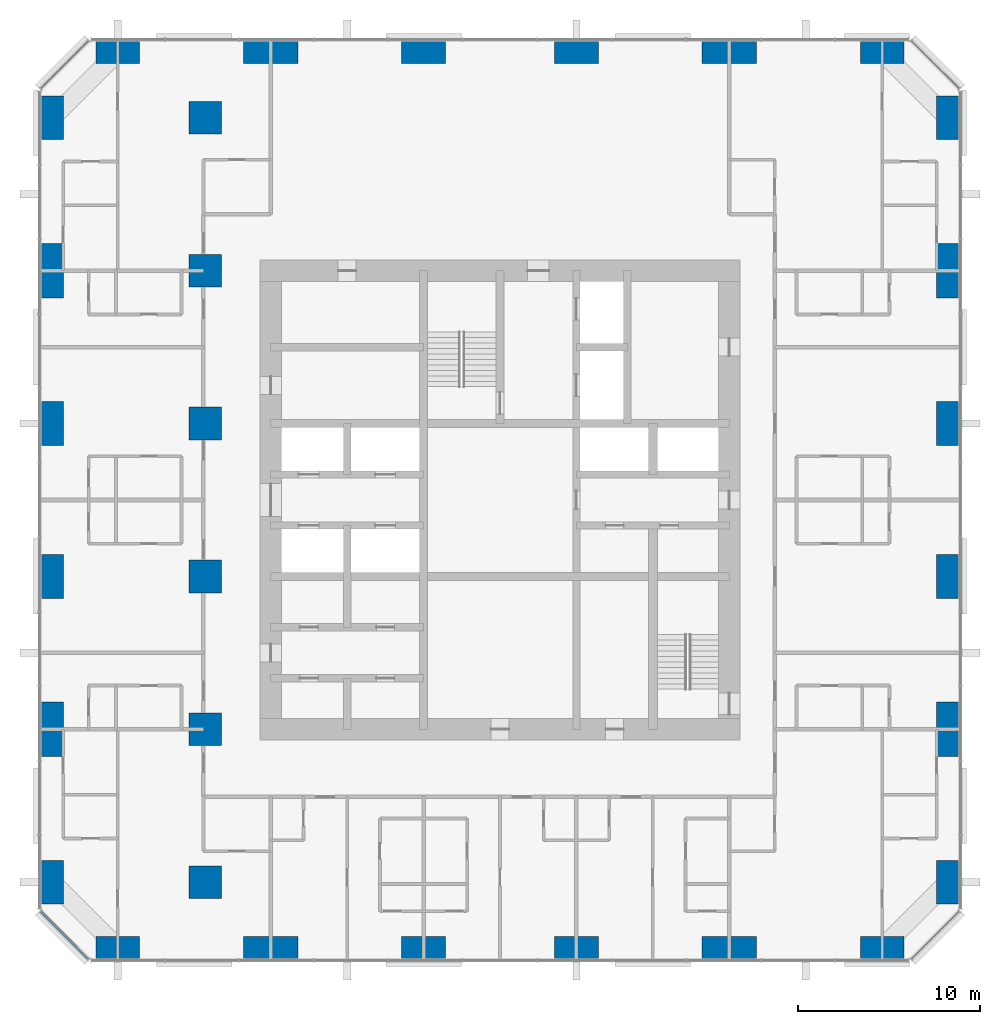
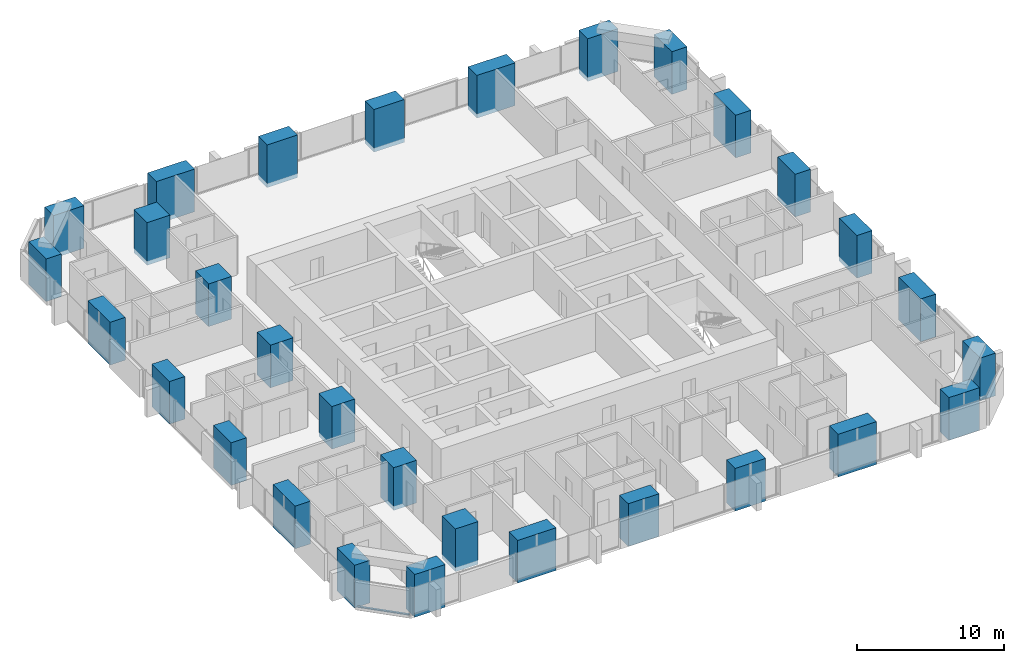
# One storey, part 1 of 13: 30 columns, 1 member, 1 element without a shape of its own.
"""IFC4 building model written with IfcOpenShell, lengths in metres."""

from ifc_helpers import new_model, si_unit, direction, frame, origin, origin_2d, place, context, subcontext, project, spatial, rectangle, extrude, material, material_profile, profile_set, type_object, element, aggregate, save


model = new_model("IFC4")

# Units and contexts
model_context = context("Model", 3, precision=1e-05, world=origin(), true_north=direction((0.0, 1.0)))
body_context = subcontext(model_context, "Body", "Model", "MODEL_VIEW")
ifc_project = project(units=[si_unit("LENGTHUNIT", "METRE"), si_unit("AREAUNIT", "SQUARE_METRE"), si_unit("VOLUMEUNIT", "CUBIC_METRE"), si_unit("PLANEANGLEUNIT", "RADIAN"), si_unit("MASSUNIT", "GRAM", prefix="KILO")], contexts=[model_context])

# Site, building, storey
site_placement = place(None, origin())
site = spatial("IfcSite", under=ifc_project, at=site_placement, CompositionType="ELEMENT")
building_placement = place(site_placement, origin())
building = spatial("IfcBuilding", under=site, at=building_placement, Name="Dunama Terrace Hotel", CompositionType="ELEMENT")
storey_placement = place(building_placement, frame((0.0, 0.0, 216.60009765625)))
storey = spatial("IfcBuildingStorey", under=building, at=storey_placement, Name="L56", CompositionType="ELEMENT", Elevation=216.60009765625)

# Columns
ifc_material_1 = material(Name="Concrete C60/75", Category="concrete")
ifc_material_profile_1 = material_profile(ifc_material_1, rectangle(XDim=1.199951171875, YDim=2.39990234375, at=origin_2d()), Name="RC 1200x2400")
ifc_profile_set_1 = profile_set([ifc_material_profile_1], Name="Concrete C60/75")
column_type_1 = type_object("IfcColumnType", Name="Column RC 1200x2400", PredefinedType="COLUMN", material=ifc_profile_set_1)
for number, where, z_axis, x_axis, name in (
    (1, (4.800048828125, 8.39990234375, -0.35009765625), (0.0, 0.0, 1.0), (1.0, 0.0, 0.0), "Column L56 +4.8/+8.4"),
    (2, (4.800048828125, 25.199951171875, -0.35009765625), (0.0, 0.0, 1.0), (1.0, 0.0, 0.0), "Column L56 +4.8/+25.2"),
    (3, (4.800048828125, 33.60009765625, -0.35009765625), (0.0, 0.0, 1.0), (1.0, 0.0, 0.0), "Column L56 +4.8/+33.6"),
    (4, (4.800048828125, 50.39990234375, -0.35009765625), (0.0, 0.0, 1.0), (1.0, 0.0, 0.0), "Column L56 +4.8/+50.4"),
    (5, (54.0, 8.39990234375, -0.35009765625), (0.0, 0.0, 1.0), (1.0, 0.0, 0.0), "Column L56 +54.0/+8.4"),
    (6, (54.0, 25.199951171875, -0.35009765625), (0.0, 0.0, 1.0), (1.0, 0.0, 0.0), "Column L56 +54.0/+25.2"),
    (7, (54.0, 33.60009765625, -0.35009765625), (0.0, 0.0, 1.0), (1.0, 0.0, 0.0), "Column L56 +54.0/+33.6"),
    (8, (54.0, 50.39990234375, -0.35009765625), (0.0, 0.0, 1.0), (1.0, 0.0, 0.0), "Column L56 +54.0/+50.4"),
):
    element("IfcColumn", number, at=place(storey_placement, frame(where, z_axis=z_axis, x_axis=x_axis)), inside=storey, type_object=column_type_1, Name=name, PredefinedType="COLUMN", context=body_context, shape_type="SweptSolid", body=[
        extrude(rectangle(XDim=1.199951171875, YDim=2.39990234375, at=origin_2d()), origin(), (0.0, 0.0, 1.0), 3.550048828125),
    ])
ifc_material_2 = material(Name="Concrete C60/75", Category="concrete")
ifc_material_profile_2 = material_profile(ifc_material_2, rectangle(XDim=1.199951171875, YDim=3.0, at=origin_2d()), Name="RC 1200x3000")
ifc_profile_set_2 = profile_set([ifc_material_profile_2], Name="Concrete C60/75")
column_type_2 = type_object("IfcColumnType", Name="Column RC 1200x3000", PredefinedType="COLUMN", material=ifc_profile_set_2)
for number, where, z_axis, x_axis, name in (
    (9, (4.800048828125, 16.800048828125, -0.35009765625), (0.0, 0.0, 1.0), (1.0, 0.0, 0.0), "Column L56 +4.8/+16.8"),
    (10, (4.800048828125, 42.0, -0.35009765625), (0.0, 0.0, 1.0), (1.0, 0.0, 0.0), "Column L56 +4.8/+42.0"),
    (11, (54.0, 16.800048828125, -0.35009765625), (0.0, 0.0, 1.0), (1.0, 0.0, 0.0), "Column L56 +54.0/+16.8"),
    (12, (54.0, 42.0, -0.35009765625), (0.0, 0.0, 1.0), (1.0, 0.0, 0.0), "Column L56 +54.0/+42.0"),
):
    element("IfcColumn", number, at=place(storey_placement, frame(where, z_axis=z_axis, x_axis=x_axis)), inside=storey, type_object=column_type_2, Name=name, PredefinedType="COLUMN", context=body_context, shape_type="SweptSolid", body=[
        extrude(rectangle(XDim=1.199951171875, YDim=3.0, at=origin_2d()), origin(), (0.0, 0.0, 1.0), 3.550048828125),
    ])
ifc_material_3 = material(Name="Concrete C60/75", Category="concrete")
ifc_material_profile_3 = material_profile(ifc_material_3, rectangle(XDim=1.800048828125, YDim=1.800048828125, at=origin_2d()), Name="RC 1800x1800")
ifc_profile_set_3 = profile_set([ifc_material_profile_3], Name="Concrete C60/75")
column_type_3 = type_object("IfcColumnType", Name="Column RC 1800x1800", PredefinedType="COLUMN", material=ifc_profile_set_3)
for number, where, z_axis, x_axis, name in (
    (13, (13.199951171875, 8.39990234375, -0.35009765625), (0.0, 0.0, 1.0), (1.0, 0.0, 0.0), "Column L56 +13.2/+8.4"),
    (14, (13.199951171875, 16.800048828125, -0.35009765625), (0.0, 0.0, 1.0), (1.0, 0.0, 0.0), "Column L56 +13.2/+16.8"),
    (15, (13.199951171875, 25.199951171875, -0.35009765625), (0.0, 0.0, 1.0), (1.0, 0.0, 0.0), "Column L56 +13.2/+25.2"),
    (16, (13.199951171875, 33.60009765625, -0.35009765625), (0.0, 0.0, 1.0), (1.0, 0.0, 0.0), "Column L56 +13.2/+33.6"),
    (17, (13.199951171875, 42.0, -0.35009765625), (0.0, 0.0, 1.0), (1.0, 0.0, 0.0), "Column L56 +13.2/+42.0"),
    (18, (13.199951171875, 50.39990234375, -0.35009765625), (0.0, 0.0, 1.0), (1.0, 0.0, 0.0), "Column L56 +13.2/+50.4"),
):
    element("IfcColumn", number, at=place(storey_placement, frame(where, z_axis=z_axis, x_axis=x_axis)), inside=storey, type_object=column_type_3, Name=name, PredefinedType="COLUMN", context=body_context, shape_type="SweptSolid", body=[
        extrude(rectangle(XDim=1.800048828125, YDim=1.800048828125, at=origin_2d()), origin(), (0.0, 0.0, 1.0), 3.550048828125),
    ])
ifc_material_4 = material(Name="Concrete C60/75", Category="concrete")
ifc_material_profile_4 = material_profile(ifc_material_4, rectangle(XDim=2.39990234375, YDim=1.199951171875, at=origin_2d()), Name="RC 2400x1200")
ifc_profile_set_4 = profile_set([ifc_material_profile_4], Name="Concrete C60/75")
column_type_4 = type_object("IfcColumnType", Name="Column RC 2400x1200", PredefinedType="COLUMN", material=ifc_profile_set_4)
for number, where, z_axis, x_axis, name in (
    (19, (8.39990234375, 4.800048828125, -0.35009765625), (0.0, 0.0, 1.0), (1.0, 0.0, 0.0), "Column L56 +8.4/+4.8"),
    (20, (8.39990234375, 54.0, -0.35009765625), (0.0, 0.0, 1.0), (1.0, 0.0, 0.0), "Column L56 +8.4/+54.0"),
    (21, (25.199951171875, 4.800048828125, -0.35009765625), (0.0, 0.0, 1.0), (1.0, 0.0, 0.0), "Column L56 +25.2/+4.8"),
    (22, (25.199951171875, 54.0, -0.35009765625), (0.0, 0.0, 1.0), (1.0, 0.0, 0.0), "Column L56 +25.2/+54.0"),
    (23, (33.60009765625, 4.800048828125, -0.35009765625), (0.0, 0.0, 1.0), (1.0, 0.0, 0.0), "Column L56 +33.6/+4.8"),
    (24, (33.60009765625, 54.0, -0.35009765625), (0.0, 0.0, 1.0), (1.0, 0.0, 0.0), "Column L56 +33.6/+54.0"),
    (25, (50.39990234375, 4.800048828125, -0.35009765625), (0.0, 0.0, 1.0), (1.0, 0.0, 0.0), "Column L56 +50.4/+4.8"),
    (26, (50.39990234375, 54.0, -0.35009765625), (0.0, 0.0, 1.0), (1.0, 0.0, 0.0), "Column L56 +50.4/+54.0"),
):
    element("IfcColumn", number, at=place(storey_placement, frame(where, z_axis=z_axis, x_axis=x_axis)), inside=storey, type_object=column_type_4, Name=name, PredefinedType="COLUMN", context=body_context, shape_type="SweptSolid", body=[
        extrude(rectangle(XDim=2.39990234375, YDim=1.199951171875, at=origin_2d()), origin(), (0.0, 0.0, 1.0), 3.550048828125),
    ])
ifc_material_5 = material(Name="Concrete C60/75", Category="concrete")
ifc_material_profile_5 = material_profile(ifc_material_5, rectangle(XDim=3.0, YDim=1.199951171875, at=origin_2d()), Name="RC 3000x1200")
ifc_profile_set_5 = profile_set([ifc_material_profile_5], Name="Concrete C60/75")
column_type_5 = type_object("IfcColumnType", Name="Column RC 3000x1200", PredefinedType="COLUMN", material=ifc_profile_set_5)
for number, where, z_axis, x_axis, name in (
    (27, (16.800048828125, 4.800048828125, -0.35009765625), (0.0, 0.0, 1.0), (1.0, 0.0, 0.0), "Column L56 +16.8/+4.8"),
    (28, (16.800048828125, 54.0, -0.35009765625), (0.0, 0.0, 1.0), (1.0, 0.0, 0.0), "Column L56 +16.8/+54.0"),
    (29, (42.0, 4.800048828125, -0.35009765625), (0.0, 0.0, 1.0), (1.0, 0.0, 0.0), "Column L56 +42.0/+4.8"),
    (30, (42.0, 54.0, -0.35009765625), (0.0, 0.0, 1.0), (1.0, 0.0, 0.0), "Column L56 +42.0/+54.0"),
):
    element("IfcColumn", number, at=place(storey_placement, frame(where, z_axis=z_axis, x_axis=x_axis)), inside=storey, type_object=column_type_5, Name=name, PredefinedType="COLUMN", context=body_context, shape_type="SweptSolid", body=[
        extrude(rectangle(XDim=3.0, YDim=1.199951171875, at=origin_2d()), origin(), (0.0, 0.0, 1.0), 3.550048828125),
    ])

# Curtain wall, member
ifc_material_6 = material(Name="Aluminium curtain wall system", Category="aluminium")
curtain_wall_type = type_object("IfcCurtainWallType", Name="Unitised fritted glass wall CW-C", PredefinedType="NOTDEFINED", material=ifc_material_6)
curtain_wall_placement = place(storey_placement, origin())
curtain_wall = element("IfcCurtainWall", 31, at=curtain_wall_placement, inside=storey, type_object=curtain_wall_type, Name="Unitised fritted glass wall CW-C L56", PredefinedType="NOTDEFINED")
ifc_material_7 = material(Name="Aluminium transom", Category="aluminium")
ifc_material_profile_6 = material_profile(ifc_material_7, rectangle(XDim=0.159912109375, YDim=0.080078125, at=origin_2d()), Name="CWC TRANSOM 160X80")
ifc_profile_set_6 = profile_set([ifc_material_profile_6], Name="Aluminium transom")
member_type = type_object("IfcMemberType", Name="CWC transom 160x80", PredefinedType="USERDEFINED", material=ifc_profile_set_6)
member_placement = place(storey_placement, frame((4.178955078125, 6.780029296875, 0.039794921875), z_axis=(0.707106781187, -0.707106781187, 0.0), x_axis=(0.707106781187, 0.707106781187, 0.0)))
member = element("IfcMember", 32, at=member_placement, type_object=member_type, Name="CWC transom", ObjectType="TRANSOM", PredefinedType="USERDEFINED", context=body_context, shape_type="SweptSolid", body=[
    extrude(rectangle(XDim=0.159912109375, YDim=0.080078125, at=origin_2d()), origin(), (0.0, 0.0, 1.0), 3.678466796875),
])
aggregate(curtain_wall, [member])

save(model, "model.ifc")
